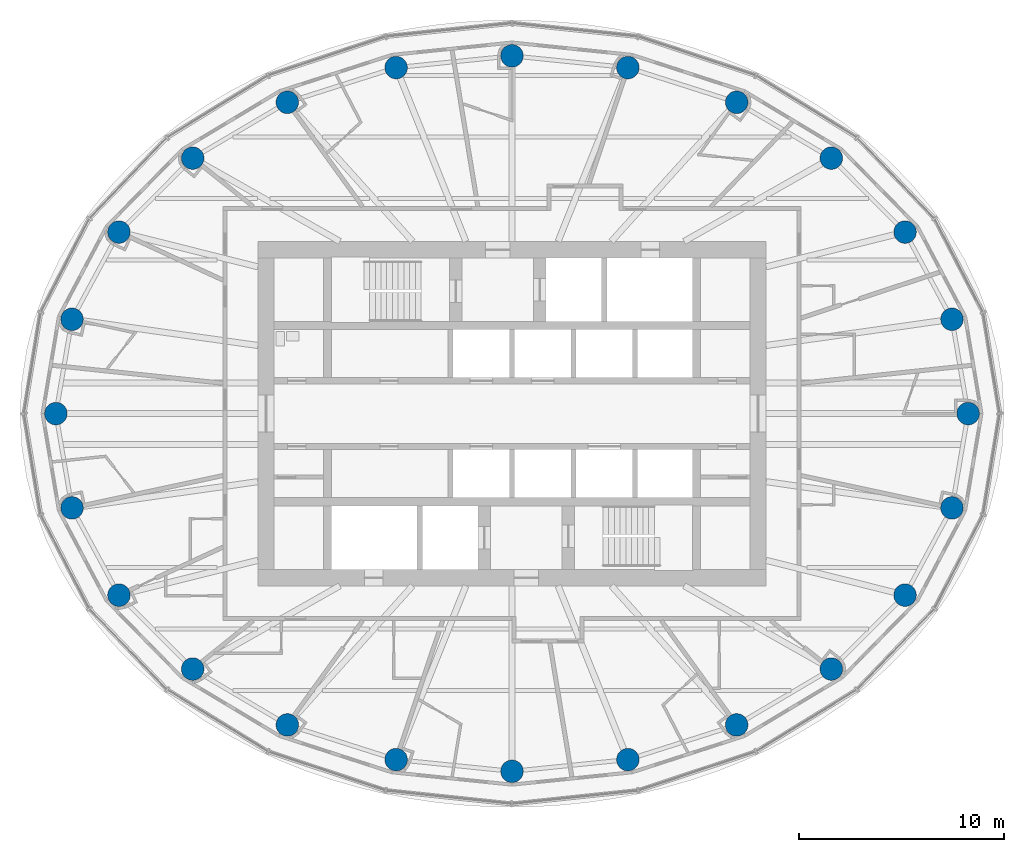
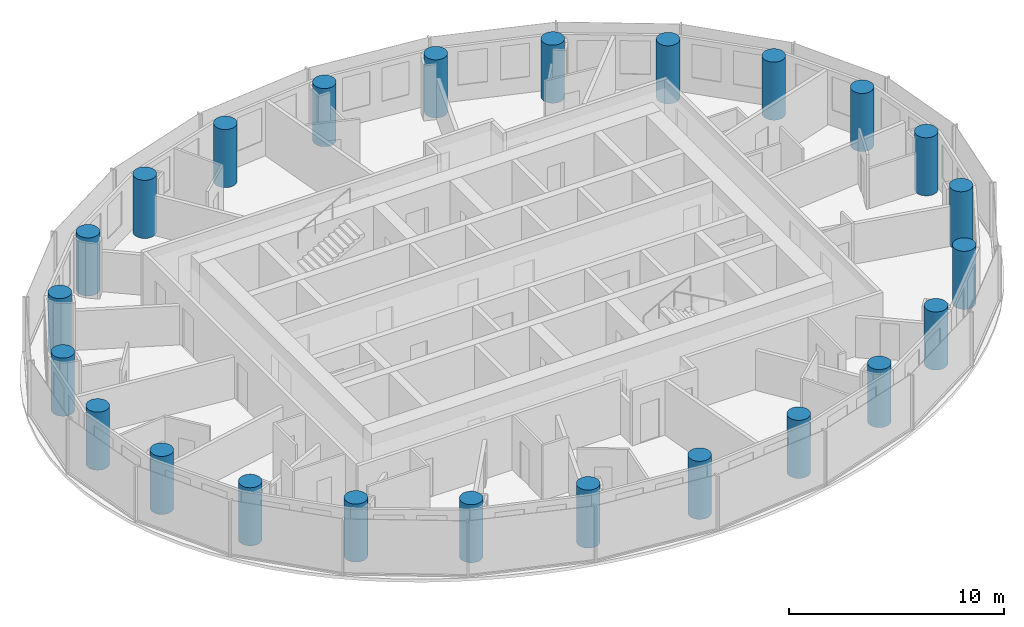
# One storey, part 1 of 14: 24 columns.
"""IFC4 building model written with IfcOpenShell, lengths in metres."""

from ifc_helpers import new_model, si_unit, direction, frame, origin, origin_2d, place, context, subcontext, project, spatial, circle, extrude, material, material_profile, profile_set, type_object, element, save


model = new_model("IFC4")

# Units and contexts
model_context = context("Model", 3, precision=1e-05, world=origin(), true_north=direction((0.0, 1.0)))
body_context = subcontext(model_context, "Body", "Model", "MODEL_VIEW")
ifc_project = project(units=[si_unit("LENGTHUNIT", "METRE"), si_unit("AREAUNIT", "SQUARE_METRE"), si_unit("VOLUMEUNIT", "CUBIC_METRE"), si_unit("PLANEANGLEUNIT", "RADIAN"), si_unit("MASSUNIT", "GRAM", prefix="KILO")], contexts=[model_context])

# Site, building, storey
site_placement = place(None, origin())
site = spatial("IfcSite", under=ifc_project, at=site_placement, CompositionType="ELEMENT")
building_placement = place(site_placement, origin())
building = spatial("IfcBuilding", under=site, at=building_placement, Name="Hankou Lantern Tower", CompositionType="ELEMENT")
storey_placement = place(building_placement, frame((0.0, 0.0, 179.699951171875)))
storey = spatial("IfcBuildingStorey", under=building, at=storey_placement, Name="L48", CompositionType="ELEMENT", Elevation=179.699951171875)

# Columns
ifc_material = material(Name="Concrete C50", Category="concrete")
ifc_material_profile = material_profile(ifc_material, circle(Radius=0.550048828125, at=origin_2d()), Name="RC D1100")
ifc_profile_set = profile_set([ifc_material_profile], Name="Concrete C50")
column_type = type_object("IfcColumnType", Name="TC4 PERIMETER COLUMN RC D1100", PredefinedType="COLUMN", material=ifc_profile_set)
for number, where, z_axis, x_axis, name in (
    (1, (22.25, 0.0, 0.0), (0.0, 0.0, 1.0), (1.0, 0.0, 0.0), "Column R01 L48"),
    (2, (21.462646484375, 4.600830078125, 0.0), (0.0, 0.0, 1.0), (1.0, 0.0, 0.0), "Column R02 L48"),
    (3, (19.172119140625, 8.855224609375, 0.0), (0.0, 0.0, 1.0), (1.0, 0.0, 0.0), "Column R03 L48"),
    (4, (15.576171875, 12.4609375, 0.0), (0.0, 0.0, 1.0), (1.0, 0.0, 0.0), "Column R04 L48"),
    (5, (10.959716796875, 15.186279296875, 0.0), (0.0, 0.0, 1.0), (1.0, 0.0, 0.0), "Column R05 L48"),
    (6, (5.65283203125, 16.87744140625, 0.0), (0.0, 0.0, 1.0), (1.0, 0.0, 0.0), "Column R06 L48"),
    (7, (0.0, 17.449951171875, 0.0), (0.0, 0.0, 1.0), (1.0, 0.0, 0.0), "Column R07 L48"),
    (8, (-5.65283203125, 16.87744140625, 0.0), (0.0, 0.0, 1.0), (1.0, 0.0, 0.0), "Column R08 L48"),
    (9, (-10.959716796875, 15.186279296875, 0.0), (0.0, 0.0, 1.0), (1.0, 0.0, 0.0), "Column R09 L48"),
    (10, (-15.576171875, 12.4609375, 0.0), (0.0, 0.0, 1.0), (1.0, 0.0, 0.0), "Column R10 L48"),
    (11, (-19.172119140625, 8.855224609375, 0.0), (0.0, 0.0, 1.0), (1.0, 0.0, 0.0), "Column R11 L48"),
    (12, (-21.462646484375, 4.600830078125, 0.0), (0.0, 0.0, 1.0), (1.0, 0.0, 0.0), "Column R12 L48"),
    (13, (-22.25, 0.0, 0.0), (0.0, 0.0, 1.0), (1.0, 0.0, 0.0), "Column R13 L48"),
    (14, (-21.462646484375, -4.600830078125, 0.0), (0.0, 0.0, 1.0), (1.0, 0.0, 0.0), "Column R14 L48"),
    (15, (-19.172119140625, -8.855224609375, 0.0), (0.0, 0.0, 1.0), (1.0, 0.0, 0.0), "Column R15 L48"),
    (16, (-15.576171875, -12.4609375, 0.0), (0.0, 0.0, 1.0), (1.0, 0.0, 0.0), "Column R16 L48"),
    (17, (-10.959716796875, -15.186279296875, 0.0), (0.0, 0.0, 1.0), (1.0, 0.0, 0.0), "Column R17 L48"),
    (18, (-5.65283203125, -16.87744140625, 0.0), (0.0, 0.0, 1.0), (1.0, 0.0, 0.0), "Column R18 L48"),
    (19, (0.0, -17.449951171875, 0.0), (0.0, 0.0, 1.0), (1.0, 0.0, 0.0), "Column R19 L48"),
    (20, (5.65283203125, -16.87744140625, 0.0), (0.0, 0.0, 1.0), (1.0, 0.0, 0.0), "Column R20 L48"),
    (21, (10.959716796875, -15.186279296875, 0.0), (0.0, 0.0, 1.0), (1.0, 0.0, 0.0), "Column R21 L48"),
    (22, (15.576171875, -12.4609375, 0.0), (0.0, 0.0, 1.0), (1.0, 0.0, 0.0), "Column R22 L48"),
    (23, (19.172119140625, -8.855224609375, 0.0), (0.0, 0.0, 1.0), (1.0, 0.0, 0.0), "Column R23 L48"),
    (24, (21.462646484375, -4.600830078125, 0.0), (0.0, 0.0, 1.0), (1.0, 0.0, 0.0), "Column R24 L48"),
):
    element("IfcColumn", number, at=place(storey_placement, frame(where, z_axis=z_axis, x_axis=x_axis)), inside=storey, type_object=column_type, Name=name, PredefinedType="COLUMN", context=body_context, shape_type="SweptSolid", body=[
        extrude(circle(Radius=0.550048828125, at=origin_2d()), origin(), (0.0, 0.0, 1.0), 3.300048828125),
    ])

save(model, "model.ifc")
